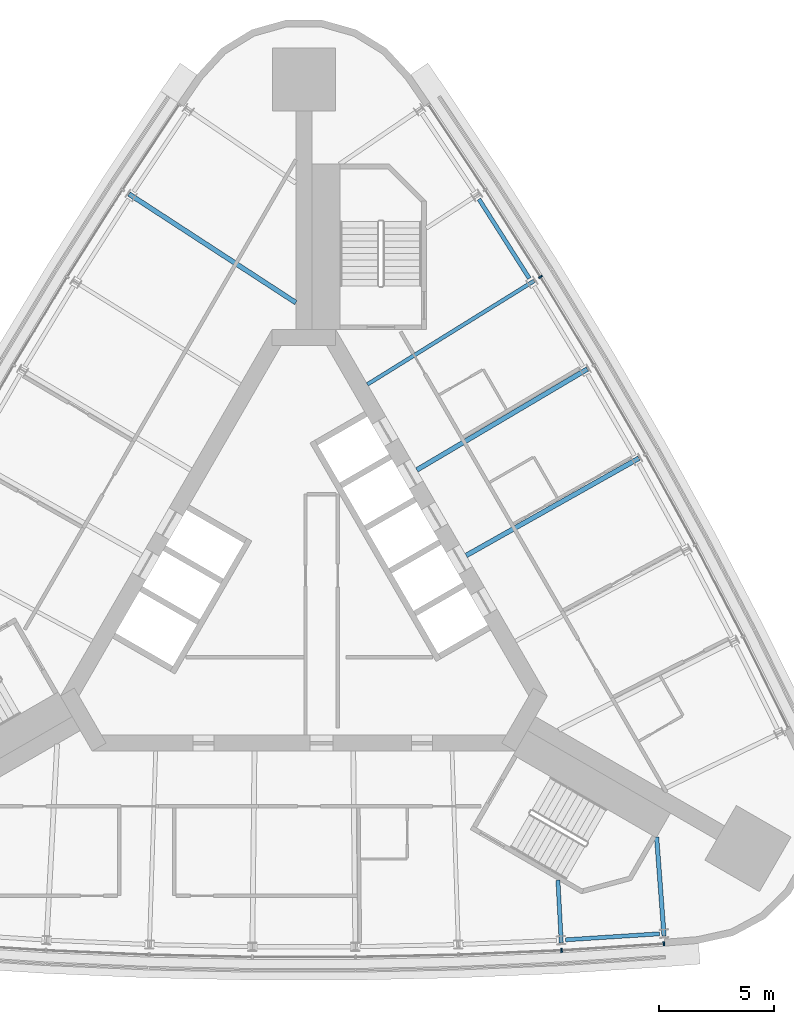
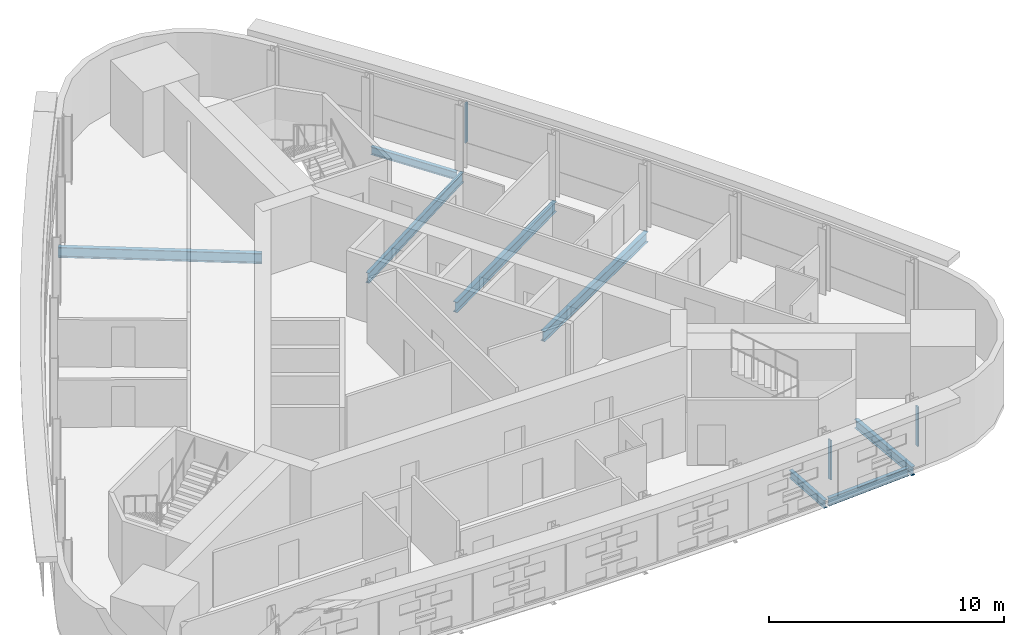
# One storey, part 4 of 12: 8 beams, 3 members, 2 elements without a shape of their own.
"""IFC4 building model written with IfcOpenShell, lengths in metres."""

from ifc_helpers import new_model, si_unit, direction, frame, origin, origin_2d, place, context, subcontext, project, spatial, rectangle, i_section, extrude, material, material_profile, profile_set, type_object, element, aggregate, save


model = new_model("IFC4")

# Units and contexts
model_context = context("Model", 3, precision=1e-05, world=origin(), true_north=direction((0.0, 1.0)))
body_context = subcontext(model_context, "Body", "Model", "MODEL_VIEW")
ifc_project = project(units=[si_unit("LENGTHUNIT", "METRE"), si_unit("AREAUNIT", "SQUARE_METRE"), si_unit("VOLUMEUNIT", "CUBIC_METRE"), si_unit("PLANEANGLEUNIT", "RADIAN"), si_unit("MASSUNIT", "GRAM", prefix="KILO")], contexts=[model_context])

# Site, building, storey
site_placement = place(None, origin())
site = spatial("IfcSite", under=ifc_project, at=site_placement, CompositionType="ELEMENT")
building_placement = place(site_placement, origin())
building = spatial("IfcBuilding", under=site, at=building_placement, Name="Noor Cloister Tower", CompositionType="ELEMENT")
storey_placement = place(building_placement, frame((0.0, 0.0, 188.699951171875)))
storey = spatial("IfcBuildingStorey", under=building, at=storey_placement, Name="L48", CompositionType="ELEMENT", Elevation=188.699951171875)

# Curtain wall, members
ifc_material_1 = material(Name="Aluminium 6063-T6 anodised", Category="aluminium")
curtain_wall_type = type_object("IfcCurtainWallType", Name="Ribbon curtain wall, upper tower CW5", PredefinedType="NOTDEFINED", material=ifc_material_1)
curtain_wall_1_placement = place(storey_placement, origin())
curtain_wall_1 = element("IfcCurtainWall", 1, at=curtain_wall_1_placement, inside=storey, type_object=curtain_wall_type, Name="CW5 L48 S run 2", PredefinedType="NOTDEFINED")
ifc_material_2 = material(Name="Aluminium 6063-T6 anodised", Category="aluminium")
ifc_material_profile_1 = material_profile(ifc_material_2, rectangle(XDim=0.179931640625, YDim=0.070068359375, at=origin_2d()), Name="180 x 70 mullion")
ifc_profile_set_1 = profile_set([ifc_material_profile_1], Name="Aluminium 6063-T6 anodised")
member_type = type_object("IfcMemberType", Name="Mullion CW5 70 x 180", PredefinedType="MULLION", material=ifc_profile_set_1)
member_1_placement = place(storey_placement, frame((11.2392578125, -15.617919921875, 1.10009765625), z_axis=(0.0, 0.0, 1.0), x_axis=(-0.05349459064, 0.998568139274, 0.0)))
member_1 = element("IfcMember", 2, at=member_1_placement, type_object=member_type, Name="CW5 mullion 7", PredefinedType="MULLION", context=body_context, shape_type="SweptSolid", body=[
    extrude(rectangle(XDim=0.179931640625, YDim=0.070068359375, at=origin_2d()), origin(), (0.0, 0.0, 1.0), 2.050048828125),
])
member_2_placement = place(storey_placement, frame((15.69384765625, -15.33154296875, 1.10009765625), z_axis=(0.0, 0.0, 1.0), x_axis=(-0.064180029753, 0.997938336663, 0.0)))
member_2 = element("IfcMember", 3, at=member_2_placement, type_object=member_type, Name="CW5 mullion 8", PredefinedType="MULLION", context=body_context, shape_type="SweptSolid", body=[
    extrude(rectangle(XDim=0.179931640625, YDim=0.070068359375, at=origin_2d()), origin(), (0.0, 0.0, 1.0), 2.050048828125),
])
aggregate(curtain_wall_1, [member_1, member_2])

# Curtain wall, member
curtain_wall_2_placement = place(storey_placement, origin())
curtain_wall_2 = element("IfcCurtainWall", 4, at=curtain_wall_2_placement, inside=storey, type_object=curtain_wall_type, Name="CW5 L48 NE run 3", PredefinedType="NOTDEFINED")
member_3_placement = place(storey_placement, frame((10.319580078125, 13.7470703125, 1.10009765625), z_axis=(0.0, 0.0, 1.0), x_axis=(-0.849525641799, -0.527547328612, 0.0)))
member_3 = element("IfcMember", 5, at=member_3_placement, type_object=member_type, Name="CW5 mullion 6", PredefinedType="MULLION", context=body_context, shape_type="SweptSolid", body=[
    extrude(rectangle(XDim=0.179931640625, YDim=0.070068359375, at=origin_2d()), origin(), (0.0, 0.0, 1.0), 2.050048828125),
])
aggregate(curtain_wall_2, [member_3])

# Beams
ifc_material_3 = material(Name="Steel ASTM A992 Gr 50", Category="steel")
ifc_material_profile_2 = material_profile(ifc_material_3, i_section(OverallWidth=0.177978515625, OverallDepth=0.406005859375, WebThickness=0.0078125, FlangeThickness=0.0126953125, FilletRadius=0.01025390625, at=origin_2d()), Name="W410x60")
ifc_profile_set_2 = profile_set([ifc_material_profile_2], Name="Steel ASTM A992 Gr 50")
beam_type_1 = type_object("IfcBeamType", Name="Radial beam W410x60", PredefinedType="BEAM", material=ifc_profile_set_2)
beam_1_placement = place(storey_placement, frame((11.22119140625, -15.280517578125, -0.40283203125), z_axis=(-0.053497907278, 0.998567961591, 0.0), x_axis=(-0.998567961591, -0.053497907278, 0.0)))
element("IfcBeam", 6, at=beam_1_placement, inside=storey, type_object=beam_type_1, Name="Radial beam S 07 L48", PredefinedType="BEAM", context=body_context, shape_type="SweptSolid", body=[
    extrude(i_section(OverallWidth=0.177978515625, OverallDepth=0.406005859375, WebThickness=0.0078125, FlangeThickness=0.0126953125, FilletRadius=0.01025390625, at=origin_2d()), origin(), (0.0, 0.0, 1.0), 2.72900390625),
])
ifc_material_4 = material(Name="Steel ASTM A992 Gr 50", Category="steel")
ifc_material_profile_3 = material_profile(ifc_material_4, i_section(OverallWidth=0.19091796875, OverallDepth=0.45703125, WebThickness=0.009033203125, FlangeThickness=0.014404296875, FilletRadius=0.01025390625, at=origin_2d()), Name="W460x74")
ifc_profile_set_3 = profile_set([ifc_material_profile_3], Name="Steel ASTM A992 Gr 50")
beam_type_2 = type_object("IfcBeamType", Name="Radial beam W460x74", PredefinedType="BEAM", material=ifc_profile_set_3)
beam_2_placement = place(storey_placement, frame((15.702392578125, -14.9921875, -0.428466796875), z_axis=(-0.074858666171, 0.997194153663, 0.0), x_axis=(-0.997194153663, -0.074858666171, 0.0)))
element("IfcBeam", 7, at=beam_2_placement, inside=storey, type_object=beam_type_2, Name="Radial beam S 08 L48", PredefinedType="BEAM", context=body_context, shape_type="SweptSolid", body=[
    extrude(i_section(OverallWidth=0.19091796875, OverallDepth=0.45703125, WebThickness=0.009033203125, FlangeThickness=0.014404296875, FilletRadius=0.01025390625, at=origin_2d()), origin(), (0.0, 0.0, 1.0), 4.327880859375),
])
ifc_material_5 = material(Name="Steel ASTM A992 Gr 50", Category="steel")
ifc_material_profile_4 = material_profile(ifc_material_5, i_section(OverallWidth=0.166015625, OverallDepth=0.528076171875, WebThickness=0.009765625, FlangeThickness=0.013671875, FilletRadius=0.0126953125, at=origin_2d()), Name="W530x74")
ifc_profile_set_4 = profile_set([ifc_material_profile_4], Name="Steel ASTM A992 Gr 50")
beam_type_3 = type_object("IfcBeamType", Name="Radial beam W530x74", PredefinedType="BEAM", material=ifc_profile_set_4)
beam_3_placement = place(storey_placement, frame((10.032470703125, 13.56884765625, -0.4638671875), z_axis=(-0.849528515527, -0.527542700932, 0.0), x_axis=(0.527542700932, -0.849528515527, 0.0)))
element("IfcBeam", 8, at=beam_3_placement, inside=storey, type_object=beam_type_3, Name="Radial beam NE 06 L48", PredefinedType="BEAM", context=body_context, shape_type="SweptSolid", body=[
    extrude(i_section(OverallWidth=0.166015625, OverallDepth=0.528076171875, WebThickness=0.009765625, FlangeThickness=0.013671875, FilletRadius=0.0126953125, at=origin_2d()), origin(), (0.0, 0.0, 1.0), 8.549072265625),
])
ifc_material_6 = material(Name="Steel ASTM A992 Gr 50", Category="steel")
ifc_material_profile_5 = material_profile(ifc_material_6, i_section(OverallWidth=0.208984375, OverallDepth=0.532958984375, WebThickness=0.01025390625, FlangeThickness=0.015625, FilletRadius=0.0126953125, at=origin_2d()), Name="W530x92")
ifc_profile_set_5 = profile_set([ifc_material_profile_5], Name="Steel ASTM A992 Gr 50")
beam_type_4 = type_object("IfcBeamType", Name="Radial beam W530x92", PredefinedType="BEAM", material=ifc_profile_set_5)
beam_4_placement = place(storey_placement, frame((-7.622802734375, 17.358154296875, -0.466552734375), z_axis=(0.838030093926, -0.545624011269, 0.0), x_axis=(0.545624011269, 0.838030093926, 0.0)))
element("IfcBeam", 9, at=beam_4_placement, inside=storey, type_object=beam_type_4, Name="Radial beam NW 02 L48", PredefinedType="BEAM", context=body_context, shape_type="SweptSolid", body=[
    extrude(i_section(OverallWidth=0.208984375, OverallDepth=0.532958984375, WebThickness=0.01025390625, FlangeThickness=0.015625, FilletRadius=0.0126953125, at=origin_2d()), origin(), (0.0, 0.0, 1.0), 8.67822265625),
])
for number, where, z_axis, x_axis, name in (
    (10, (14.605712890625, 5.83984375, -0.466552734375), (-0.871340018191, -0.490679704796, 0.0), (0.490679704796, -0.871340018191, 0.0), "Radial beam NE 04 L48"),
    (11, (12.3603515625, 9.728759765625, -0.466552734375), (-0.860625455568, -0.509238475794, 0.0), (0.509238475794, -0.860625455568, 0.0), "Radial beam NE 05 L48"),
):
    element("IfcBeam", number, at=place(storey_placement, frame(where, z_axis=z_axis, x_axis=x_axis)), inside=storey, type_object=beam_type_4, Name=name, PredefinedType="BEAM", context=body_context, shape_type="SweptSolid", body=[
        extrude(i_section(OverallWidth=0.208984375, OverallDepth=0.532958984375, WebThickness=0.01025390625, FlangeThickness=0.015625, FilletRadius=0.0126953125, at=origin_2d()), origin(), (0.0, 0.0, 1.0), 8.64111328125),
    ])
ifc_material_7 = material(Name="Steel ASTM A992 Gr 50", Category="steel")
ifc_material_profile_6 = material_profile(ifc_material_7, i_section(OverallWidth=0.177978515625, OverallDepth=0.406005859375, WebThickness=0.0078125, FlangeThickness=0.0126953125, FilletRadius=0.01025390625, at=origin_2d()), Name="W410x60")
ifc_profile_set_6 = profile_set([ifc_material_profile_6], Name="Steel ASTM A992 Gr 50")
beam_type_5 = type_object("IfcBeamType", Name="Spandrel beam W410x60", PredefinedType="SPANDREL", material=ifc_profile_set_6)
for number, where, z_axis, x_axis, name in (
    (12, (11.411865234375, -15.156005859375, -0.40283203125), (0.997939374262, 0.064163894037, 0.0), (-0.064163894037, 0.997939374262, 0.0), "Spandrel beam S 07 L48"),
    (13, (9.83154296875, 13.676025390625, -0.40283203125), (-0.536613092899, 0.843828411781, 0.0), (-0.843828411781, -0.536613092899, 0.0), "Spandrel beam NE 06 L48"),
):
    element("IfcBeam", number, at=place(storey_placement, frame(where, z_axis=z_axis, x_axis=x_axis)), inside=storey, type_object=beam_type_5, Name=name, PredefinedType="SPANDREL", context=body_context, shape_type="SweptSolid", body=[
        extrude(i_section(OverallWidth=0.177978515625, OverallDepth=0.406005859375, WebThickness=0.0078125, FlangeThickness=0.0126953125, FilletRadius=0.01025390625, at=origin_2d()), origin(), (0.0, 0.0, 1.0), 4.09423828125),
    ])

save(model, "model.ifc")
